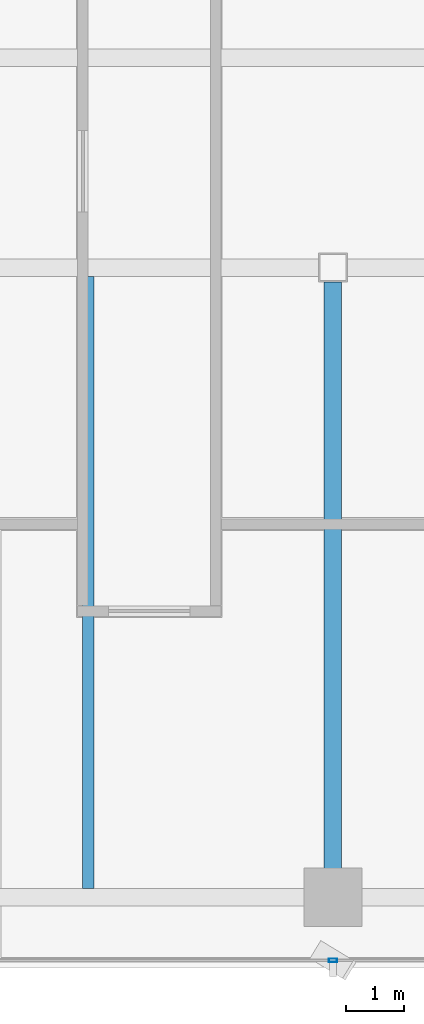
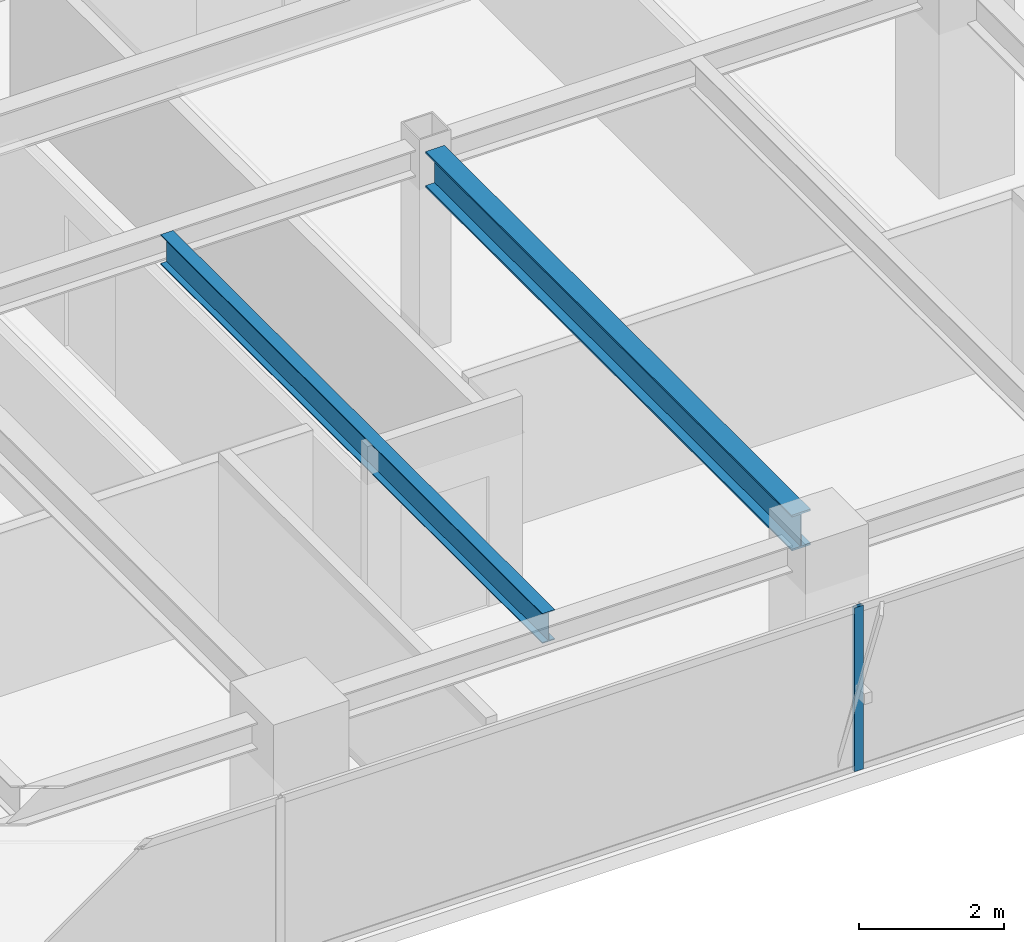
# One storey, part 6 of 25: 2 beams, 1 member, 1 element without a shape of its own.
"""IFC4 building model written with IfcOpenShell, lengths in metres."""

from ifc_helpers import new_model, si_unit, direction, frame, origin, origin_2d, place, context, subcontext, project, spatial, hollow_rectangle, i_section, extrude, source, transform, mapped, material, layer, layer_set, material_profile, profile_set, type_object, element, aggregate, save


model = new_model("IFC4")

# Units and contexts
model_context = context("Model", 3, precision=1e-05, world=origin(), true_north=direction((0.0, 1.0)))
body_context = subcontext(model_context, "Body", "Model", "MODEL_VIEW")
ifc_project = project(units=[si_unit("LENGTHUNIT", "METRE"), si_unit("AREAUNIT", "SQUARE_METRE"), si_unit("VOLUMEUNIT", "CUBIC_METRE"), si_unit("PLANEANGLEUNIT", "RADIAN"), si_unit("MASSUNIT", "GRAM", prefix="KILO")], contexts=[model_context])

# Site, building, storey
site_placement = place(None, origin())
site = spatial("IfcSite", under=ifc_project, at=site_placement, CompositionType="ELEMENT")
building_placement = place(site_placement, origin())
building = spatial("IfcBuilding", under=site, at=building_placement, Name="Sumidabori Civic Tower", CompositionType="ELEMENT")
storey_placement = place(building_placement, frame((0.0, 0.0, 268.39990234375)))
storey = spatial("IfcBuildingStorey", under=building, at=storey_placement, Name="L70", CompositionType="ELEMENT", Elevation=268.39990234375)

# Beams
ifc_material_1 = material(Name="Steel SN490", Category="steel")
ifc_material_profile_1 = material_profile(ifc_material_1, i_section(OverallWidth=0.300048828125, OverallDepth=0.60009765625, WebThickness=0.015380859375, FlangeThickness=0.030029296875, at=origin_2d()), Name="HE 600 B")
ifc_profile_set_1 = profile_set([ifc_material_profile_1], Name="Steel SN490")
beam_type_1 = type_object("IfcBeamType", Name="BM-GIRD-600", PredefinedType="BEAM", material=ifc_profile_set_1)
shared_shape_1 = source(origin(), body_context, "Body", "SweptSolid", [
    extrude(i_section(OverallWidth=0.300048828125, OverallDepth=0.60009765625, WebThickness=0.015380859375, FlangeThickness=0.030029296875, at=origin_2d()), origin(), (0.0, 0.0, 1.0), 10.070068359375),
])
beam_1_placement = place(storey_placement, frame((0.0, -10.320068359375, 3.070068359375), z_axis=(0.0, 1.0, 0.0), x_axis=(-1.0, 0.0, 0.0)))
element("IfcBeam", 1, at=beam_1_placement, inside=storey, type_object=beam_type_1, Name="Primary Girder L70 GY-13", PredefinedType="BEAM", context=body_context, shape_type="MappedRepresentation", body=[
    mapped(shared_shape_1, transform((0.0, 0.0, 0.0), x_axis=(1.0, 0.0, 0.0), y_axis=(0.0, 1.0, 0.0), z_axis=(0.0, 0.0, 1.0), scale=1.0)),
])
ifc_material_profile_2 = material_profile(ifc_material_1, i_section(OverallWidth=0.199951171875, OverallDepth=0.5, WebThickness=0.01025390625, FlangeThickness=0.01611328125, at=origin_2d()), Name="IPE 500")
ifc_profile_set_2 = profile_set([ifc_material_profile_2], Name="Steel SN490")
beam_type_2 = type_object("IfcBeamType", Name="BM-JST-500", PredefinedType="JOIST", material=ifc_profile_set_2)
shared_shape_2 = source(origin(), body_context, "Body", "SweptSolid", [
    extrude(i_section(OverallWidth=0.199951171875, OverallDepth=0.5, WebThickness=0.01025390625, FlangeThickness=0.01611328125, at=origin_2d()), origin(), (0.0, 0.0, 1.0), 10.5),
])
beam_2_placement = place(storey_placement, frame((-4.199951171875, -10.64990234375, 3.1201171875), z_axis=(0.0, 1.0, 0.0), x_axis=(-1.0, 0.0, 0.0)))
element("IfcBeam", 2, at=beam_2_placement, inside=storey, type_object=beam_type_2, Name="Upper Lens N-S Floor Joist L70 JSTV-25", PredefinedType="JOIST", context=body_context, shape_type="MappedRepresentation", body=[
    mapped(shared_shape_2, transform((0.0, 0.0, 0.0), x_axis=(1.0, 0.0, 0.0), y_axis=(0.0, 1.0, 0.0), z_axis=(0.0, 0.0, 1.0), scale=1.0)),
])

# Curtain wall, member
ifc_material_2 = material(Name="Anodised Bronze Aluminium AW-6063-T6", Category="aluminium")
ifc_layer = layer(ifc_material_2, 0.179931640625, Name="Anodised Bronze Aluminium AW-6063-T6")
ifc_layer_set = layer_set([ifc_layer], Name="Anodised Bronze Aluminium AW-6063-T6")
curtain_wall_type = type_object("IfcCurtainWallType", Name="CW-SYS-5", PredefinedType="NOTDEFINED", material=ifc_layer_set)
curtain_wall_placement = place(storey_placement, origin())
curtain_wall = element("IfcCurtainWall", 3, at=curtain_wall_placement, inside=storey, type_object=curtain_wall_type, Name="Curtain Wall CW:L70:R01", PredefinedType="NOTDEFINED")
ifc_material_profile_3 = material_profile(ifc_material_2, hollow_rectangle(XDim=0.06005859375, YDim=0.139892578125, WallThickness=0.0048828125, at=origin_2d()), Name="ALU MULLION 140x60")
ifc_profile_set_3 = profile_set([ifc_material_profile_3], Name="Anodised Bronze Aluminium AW-6063-T6")
member_type = type_object("IfcMemberType", Name="CW-MUL-140", PredefinedType="MULLION", material=ifc_profile_set_3)
shared_shape_3 = source(origin(), body_context, "Body", "SweptSolid", [
    extrude(hollow_rectangle(XDim=0.06005859375, YDim=0.139892578125, WallThickness=0.0048828125, at=origin_2d()), origin(), (0.0, 0.0, 1.0), 2.75),
])
member_placement = place(storey_placement, frame((0.0, -11.8798828125, 0.0), z_axis=(0.0, 0.0, 1.0), x_axis=(0.0, 1.0, 0.0)))
member = element("IfcMember", 4, at=member_placement, type_object=member_type, Name="CW-5 mullion 3", PredefinedType="MULLION", context=body_context, shape_type="MappedRepresentation", body=[
    mapped(shared_shape_3, transform((0.0, 0.0, 0.0), x_axis=(1.0, 0.0, 0.0), y_axis=(0.0, 1.0, 0.0), z_axis=(0.0, 0.0, 1.0), scale=1.0)),
])
aggregate(curtain_wall, [member])

save(model, "model.ifc")
